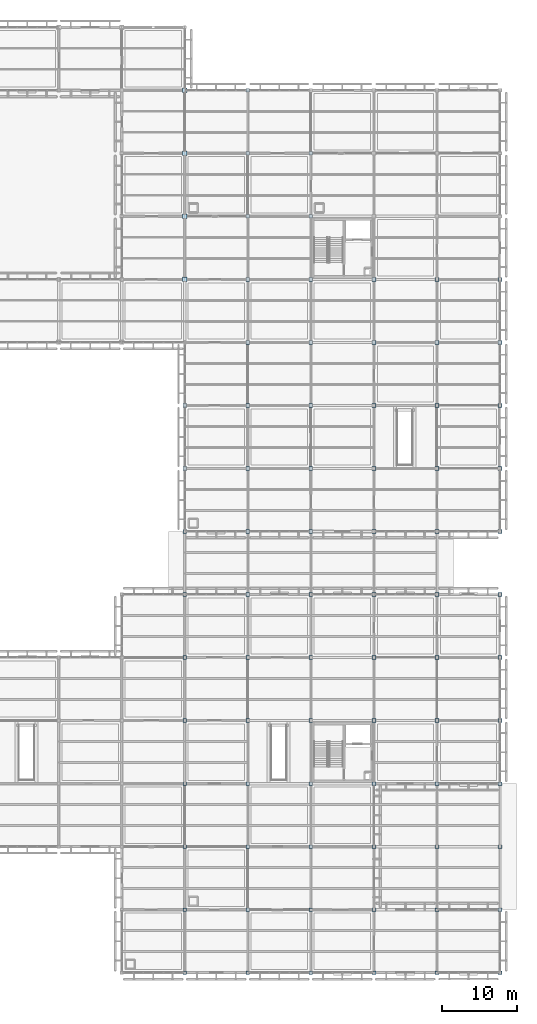
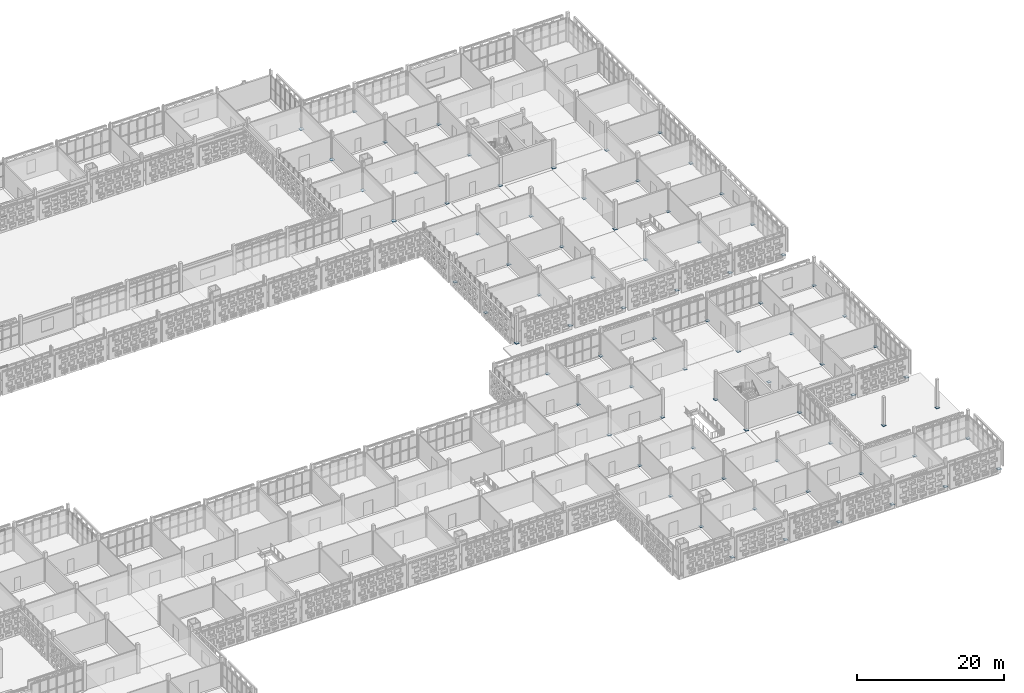
# One storey, part 111 of 203: 79 plates.
"""IFC4 building model written with IfcOpenShell, lengths in metres."""

from ifc_helpers import new_model, si_unit, direction, frame, origin, origin_2d, place, context, subcontext, project, spatial, rectangle, extrude, material, layer, layer_set, type_object, element, save


model = new_model("IFC4")

# Units and contexts
model_context = context("Model", 3, precision=1e-05, world=origin(), true_north=direction((0.0, 1.0)))
body_context = subcontext(model_context, "Body", "Model", "MODEL_VIEW")
ifc_project = project(units=[si_unit("LENGTHUNIT", "METRE"), si_unit("AREAUNIT", "SQUARE_METRE"), si_unit("VOLUMEUNIT", "CUBIC_METRE"), si_unit("PLANEANGLEUNIT", "RADIAN"), si_unit("MASSUNIT", "GRAM", prefix="KILO")], contexts=[model_context])

# Site, building, storey
site_placement = place(None, origin())
site = spatial("IfcSite", under=ifc_project, at=site_placement, CompositionType="ELEMENT")
building_placement = place(site_placement, origin())
building = spatial("IfcBuilding", under=site, at=building_placement, Name="Varnapada Polytechnic", CompositionType="ELEMENT")
storey_placement = place(building_placement, frame((0.0, 0.0, 4.800048828125)))
storey = spatial("IfcBuildingStorey", under=building, at=storey_placement, Name="L01", CompositionType="ELEMENT", Elevation=4.800048828125)

# Plates
ifc_material = material(Name="Steel S355", Category="steel")
ifc_layer_1 = layer(ifc_material, 0.034912109375)
ifc_layer_set_1 = layer_set([ifc_layer_1], Name="Steel S355")
plate_type_1 = type_object("IfcPlateType", Name="Plate BP-01", PredefinedType="SHEET", material=ifc_layer_set_1)
for number, where, z_axis, x_axis, name in (
    (1, (134.39990234375, 92.39990234375, 0.0), (0.0, 0.0, 1.0), (1.0, 0.0, 0.0), "Column base shoe plate BP-01 at 17/12"),
    (2, (134.39990234375, 100.800048828125, 0.0), (0.0, 0.0, 1.0), (1.0, 0.0, 0.0), "Column base shoe plate BP-01 at 17/13"),
    (3, (134.39990234375, 109.199951171875, 0.0), (0.0, 0.0, 1.0), (1.0, 0.0, 0.0), "Column base shoe plate BP-01 at 17/14"),
    (4, (134.39990234375, 117.60009765625, 0.0), (0.0, 0.0, 1.0), (1.0, 0.0, 0.0), "Column base shoe plate BP-01 at 17/15"),
):
    element("IfcPlate", number, at=place(storey_placement, frame(where, z_axis=z_axis, x_axis=x_axis)), inside=storey, type_object=plate_type_1, Name=name, PredefinedType="SHEET", context=body_context, shape_type="SweptSolid", body=[
        extrude(rectangle(XDim=0.60009765625, YDim=0.60009765625, at=origin_2d()), origin(), (0.0, 0.0, 1.0), 0.034912109375),
    ])
ifc_layer_2 = layer(ifc_material, 0.030029296875)
ifc_layer_set_2 = layer_set([ifc_layer_2], Name="Steel S355")
plate_type_2 = type_object("IfcPlateType", Name="Plate BP-02", PredefinedType="SHEET", material=ifc_layer_set_2)
for number, where, z_axis, x_axis, name in (
    (5, (134.39990234375, 0.0, 0.0), (0.0, 0.0, 1.0), (1.0, 0.0, 0.0), "Column base shoe plate BP-02 at 17/1"),
    (6, (134.39990234375, 8.39990234375, 0.0), (0.0, 0.0, 1.0), (1.0, 0.0, 0.0), "Column base shoe plate BP-02 at 17/2"),
    (7, (134.39990234375, 16.800048828125, 0.0), (0.0, 0.0, 1.0), (1.0, 0.0, 0.0), "Column base shoe plate BP-02 at 17/3"),
    (8, (134.39990234375, 25.199951171875, 0.0), (0.0, 0.0, 1.0), (1.0, 0.0, 0.0), "Column base shoe plate BP-02 at 17/4"),
    (9, (134.39990234375, 33.60009765625, 0.0), (0.0, 0.0, 1.0), (1.0, 0.0, 0.0), "Column base shoe plate BP-02 at 17/5"),
    (10, (134.39990234375, 42.0, 0.0), (0.0, 0.0, 1.0), (1.0, 0.0, 0.0), "Column base shoe plate BP-02 at 17/6"),
    (11, (134.39990234375, 50.39990234375, 0.0), (0.0, 0.0, 1.0), (1.0, 0.0, 0.0), "Column base shoe plate BP-02 at 17/7"),
    (12, (134.39990234375, 58.800048828125, 0.0), (0.0, 0.0, 1.0), (1.0, 0.0, 0.0), "Column base shoe plate BP-02 at 17/8"),
    (13, (134.39990234375, 67.199951171875, 0.0), (0.0, 0.0, 1.0), (1.0, 0.0, 0.0), "Column base shoe plate BP-02 at 17/9"),
    (14, (134.39990234375, 75.60009765625, 0.0), (0.0, 0.0, 1.0), (1.0, 0.0, 0.0), "Column base shoe plate BP-02 at 17/10"),
    (15, (142.800048828125, 0.0, 0.0), (0.0, 0.0, 1.0), (1.0, 0.0, 0.0), "Column base shoe plate BP-02 at 18/1"),
    (16, (142.800048828125, 8.39990234375, 0.0), (0.0, 0.0, 1.0), (1.0, 0.0, 0.0), "Column base shoe plate BP-02 at 18/2"),
    (17, (142.800048828125, 16.800048828125, 0.0), (0.0, 0.0, 1.0), (1.0, 0.0, 0.0), "Column base shoe plate BP-02 at 18/3"),
    (18, (142.800048828125, 25.199951171875, 0.0), (0.0, 0.0, 1.0), (1.0, 0.0, 0.0), "Column base shoe plate BP-02 at 18/4"),
    (19, (142.800048828125, 33.60009765625, 0.0), (0.0, 0.0, 1.0), (1.0, 0.0, 0.0), "Column base shoe plate BP-02 at 18/5"),
    (20, (142.800048828125, 42.0, 0.0), (0.0, 0.0, 1.0), (1.0, 0.0, 0.0), "Column base shoe plate BP-02 at 18/6"),
    (21, (142.800048828125, 50.39990234375, 0.0), (0.0, 0.0, 1.0), (1.0, 0.0, 0.0), "Column base shoe plate BP-02 at 18/7"),
    (22, (142.800048828125, 58.800048828125, 0.0), (0.0, 0.0, 1.0), (1.0, 0.0, 0.0), "Column base shoe plate BP-02 at 18/8"),
    (23, (142.800048828125, 67.199951171875, 0.0), (0.0, 0.0, 1.0), (1.0, 0.0, 0.0), "Column base shoe plate BP-02 at 18/9"),
    (24, (142.800048828125, 75.60009765625, 0.0), (0.0, 0.0, 1.0), (1.0, 0.0, 0.0), "Column base shoe plate BP-02 at 18/10"),
    (25, (142.800048828125, 84.0, 0.0), (0.0, 0.0, 1.0), (1.0, 0.0, 0.0), "Column base shoe plate BP-02 at 18/11"),
    (26, (142.800048828125, 92.39990234375, 0.0), (0.0, 0.0, 1.0), (1.0, 0.0, 0.0), "Column base shoe plate BP-02 at 18/12"),
    (27, (142.800048828125, 100.800048828125, 0.0), (0.0, 0.0, 1.0), (1.0, 0.0, 0.0), "Column base shoe plate BP-02 at 18/13"),
    (28, (142.800048828125, 109.199951171875, 0.0), (0.0, 0.0, 1.0), (1.0, 0.0, 0.0), "Column base shoe plate BP-02 at 18/14"),
    (29, (142.800048828125, 117.60009765625, 0.0), (0.0, 0.0, 1.0), (1.0, 0.0, 0.0), "Column base shoe plate BP-02 at 18/15"),
    (30, (151.199951171875, 0.0, 0.0), (0.0, 0.0, 1.0), (1.0, 0.0, 0.0), "Column base shoe plate BP-02 at 19/1"),
    (31, (151.199951171875, 8.39990234375, 0.0), (0.0, 0.0, 1.0), (1.0, 0.0, 0.0), "Column base shoe plate BP-02 at 19/2"),
    (32, (151.199951171875, 16.800048828125, 0.0), (0.0, 0.0, 1.0), (1.0, 0.0, 0.0), "Column base shoe plate BP-02 at 19/3"),
    (33, (151.199951171875, 25.199951171875, 0.0), (0.0, 0.0, 1.0), (1.0, 0.0, 0.0), "Column base shoe plate BP-02 at 19/4"),
    (34, (151.199951171875, 33.60009765625, 0.0), (0.0, 0.0, 1.0), (1.0, 0.0, 0.0), "Column base shoe plate BP-02 at 19/5"),
    (35, (151.199951171875, 42.0, 0.0), (0.0, 0.0, 1.0), (1.0, 0.0, 0.0), "Column base shoe plate BP-02 at 19/6"),
    (36, (151.199951171875, 50.39990234375, 0.0), (0.0, 0.0, 1.0), (1.0, 0.0, 0.0), "Column base shoe plate BP-02 at 19/7"),
    (37, (151.199951171875, 58.800048828125, 0.0), (0.0, 0.0, 1.0), (1.0, 0.0, 0.0), "Column base shoe plate BP-02 at 19/8"),
    (38, (151.199951171875, 67.199951171875, 0.0), (0.0, 0.0, 1.0), (1.0, 0.0, 0.0), "Column base shoe plate BP-02 at 19/9"),
    (39, (151.199951171875, 75.60009765625, 0.0), (0.0, 0.0, 1.0), (1.0, 0.0, 0.0), "Column base shoe plate BP-02 at 19/10"),
    (40, (151.199951171875, 84.0, 0.0), (0.0, 0.0, 1.0), (1.0, 0.0, 0.0), "Column base shoe plate BP-02 at 19/11"),
    (41, (151.199951171875, 92.39990234375, 0.0), (0.0, 0.0, 1.0), (1.0, 0.0, 0.0), "Column base shoe plate BP-02 at 19/12"),
    (42, (151.199951171875, 100.800048828125, 0.0), (0.0, 0.0, 1.0), (1.0, 0.0, 0.0), "Column base shoe plate BP-02 at 19/13"),
    (43, (151.199951171875, 109.199951171875, 0.0), (0.0, 0.0, 1.0), (1.0, 0.0, 0.0), "Column base shoe plate BP-02 at 19/14"),
    (44, (159.60009765625, 0.0, 0.0), (0.0, 0.0, 1.0), (1.0, 0.0, 0.0), "Column base shoe plate BP-02 at 20/1"),
    (45, (159.60009765625, 8.39990234375, 0.0), (0.0, 0.0, 1.0), (1.0, 0.0, 0.0), "Column base shoe plate BP-02 at 20/2"),
    (46, (159.60009765625, 16.800048828125, 0.0), (0.0, 0.0, 1.0), (1.0, 0.0, 0.0), "Column base shoe plate BP-02 at 20/3"),
    (47, (159.60009765625, 25.199951171875, 0.0), (0.0, 0.0, 1.0), (1.0, 0.0, 0.0), "Column base shoe plate BP-02 at 20/4"),
    (48, (159.60009765625, 33.60009765625, 0.0), (0.0, 0.0, 1.0), (1.0, 0.0, 0.0), "Column base shoe plate BP-02 at 20/5"),
    (49, (159.60009765625, 42.0, 0.0), (0.0, 0.0, 1.0), (1.0, 0.0, 0.0), "Column base shoe plate BP-02 at 20/6"),
    (50, (159.60009765625, 50.39990234375, 0.0), (0.0, 0.0, 1.0), (1.0, 0.0, 0.0), "Column base shoe plate BP-02 at 20/7"),
    (51, (159.60009765625, 58.800048828125, 0.0), (0.0, 0.0, 1.0), (1.0, 0.0, 0.0), "Column base shoe plate BP-02 at 20/8"),
    (52, (159.60009765625, 67.199951171875, 0.0), (0.0, 0.0, 1.0), (1.0, 0.0, 0.0), "Column base shoe plate BP-02 at 20/9"),
    (53, (159.60009765625, 75.60009765625, 0.0), (0.0, 0.0, 1.0), (1.0, 0.0, 0.0), "Column base shoe plate BP-02 at 20/10"),
    (54, (159.60009765625, 84.0, 0.0), (0.0, 0.0, 1.0), (1.0, 0.0, 0.0), "Column base shoe plate BP-02 at 20/11"),
    (55, (159.60009765625, 92.39990234375, 0.0), (0.0, 0.0, 1.0), (1.0, 0.0, 0.0), "Column base shoe plate BP-02 at 20/12"),
    (56, (168.0, 0.0, 0.0), (0.0, 0.0, 1.0), (1.0, 0.0, 0.0), "Column base shoe plate BP-02 at 21/1"),
    (57, (168.0, 8.39990234375, 0.0), (0.0, 0.0, 1.0), (1.0, 0.0, 0.0), "Column base shoe plate BP-02 at 21/2"),
    (58, (168.0, 16.800048828125, 0.0), (0.0, 0.0, 1.0), (1.0, 0.0, 0.0), "Column base shoe plate BP-02 at 21/3"),
    (59, (168.0, 25.199951171875, 0.0), (0.0, 0.0, 1.0), (1.0, 0.0, 0.0), "Column base shoe plate BP-02 at 21/4"),
    (60, (168.0, 33.60009765625, 0.0), (0.0, 0.0, 1.0), (1.0, 0.0, 0.0), "Column base shoe plate BP-02 at 21/5"),
    (61, (168.0, 42.0, 0.0), (0.0, 0.0, 1.0), (1.0, 0.0, 0.0), "Column base shoe plate BP-02 at 21/6"),
    (62, (168.0, 50.39990234375, 0.0), (0.0, 0.0, 1.0), (1.0, 0.0, 0.0), "Column base shoe plate BP-02 at 21/7"),
    (63, (168.0, 58.800048828125, 0.0), (0.0, 0.0, 1.0), (1.0, 0.0, 0.0), "Column base shoe plate BP-02 at 21/8"),
    (64, (168.0, 67.199951171875, 0.0), (0.0, 0.0, 1.0), (1.0, 0.0, 0.0), "Column base shoe plate BP-02 at 21/9"),
    (65, (168.0, 75.60009765625, 0.0), (0.0, 0.0, 1.0), (1.0, 0.0, 0.0), "Column base shoe plate BP-02 at 21/10"),
    (66, (168.0, 84.0, 0.0), (0.0, 0.0, 1.0), (1.0, 0.0, 0.0), "Column base shoe plate BP-02 at 21/11"),
    (67, (168.0, 92.39990234375, 0.0), (0.0, 0.0, 1.0), (1.0, 0.0, 0.0), "Column base shoe plate BP-02 at 21/12"),
    (68, (176.39990234375, 0.0, 0.0), (0.0, 0.0, 1.0), (1.0, 0.0, 0.0), "Column base shoe plate BP-02 at 22/1"),
    (69, (176.39990234375, 8.39990234375, 0.0), (0.0, 0.0, 1.0), (1.0, 0.0, 0.0), "Column base shoe plate BP-02 at 22/2"),
    (70, (176.39990234375, 16.800048828125, 0.0), (0.0, 0.0, 1.0), (1.0, 0.0, 0.0), "Column base shoe plate BP-02 at 22/3"),
    (71, (176.39990234375, 25.199951171875, 0.0), (0.0, 0.0, 1.0), (1.0, 0.0, 0.0), "Column base shoe plate BP-02 at 22/4"),
    (72, (176.39990234375, 33.60009765625, 0.0), (0.0, 0.0, 1.0), (1.0, 0.0, 0.0), "Column base shoe plate BP-02 at 22/5"),
    (73, (176.39990234375, 42.0, 0.0), (0.0, 0.0, 1.0), (1.0, 0.0, 0.0), "Column base shoe plate BP-02 at 22/6"),
    (74, (176.39990234375, 50.39990234375, 0.0), (0.0, 0.0, 1.0), (1.0, 0.0, 0.0), "Column base shoe plate BP-02 at 22/7"),
    (75, (176.39990234375, 58.800048828125, 0.0), (0.0, 0.0, 1.0), (1.0, 0.0, 0.0), "Column base shoe plate BP-02 at 22/8"),
    (76, (176.39990234375, 67.199951171875, 0.0), (0.0, 0.0, 1.0), (1.0, 0.0, 0.0), "Column base shoe plate BP-02 at 22/9"),
    (77, (176.39990234375, 75.60009765625, 0.0), (0.0, 0.0, 1.0), (1.0, 0.0, 0.0), "Column base shoe plate BP-02 at 22/10"),
    (78, (176.39990234375, 84.0, 0.0), (0.0, 0.0, 1.0), (1.0, 0.0, 0.0), "Column base shoe plate BP-02 at 22/11"),
    (79, (176.39990234375, 92.39990234375, 0.0), (0.0, 0.0, 1.0), (1.0, 0.0, 0.0), "Column base shoe plate BP-02 at 22/12"),
):
    element("IfcPlate", number, at=place(storey_placement, frame(where, z_axis=z_axis, x_axis=x_axis)), inside=storey, type_object=plate_type_2, Name=name, PredefinedType="SHEET", context=body_context, shape_type="SweptSolid", body=[
        extrude(rectangle(XDim=0.5, YDim=0.5, at=origin_2d()), origin(), (0.0, 0.0, 1.0), 0.030029296875),
    ])

save(model, "model.ifc")
